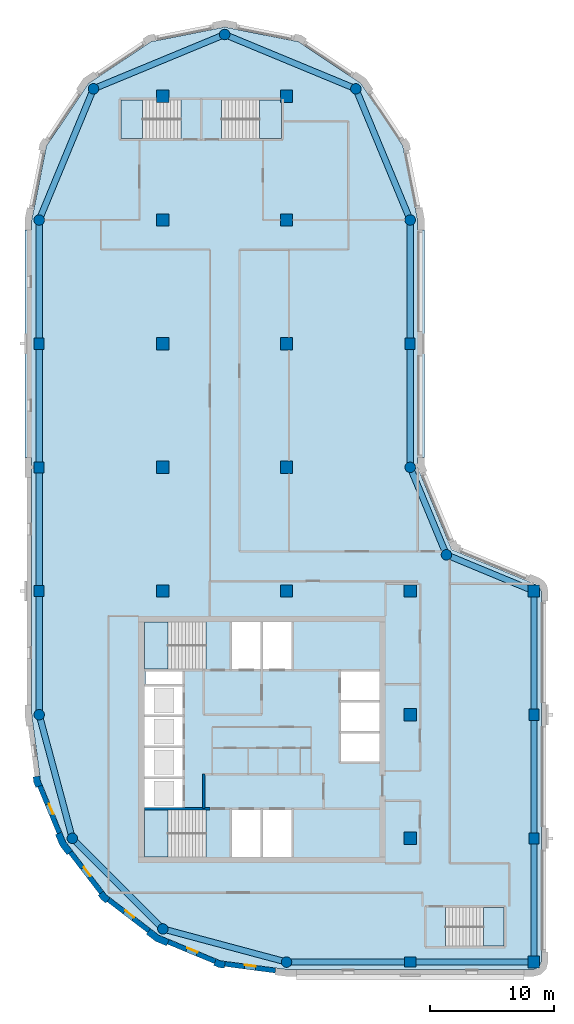
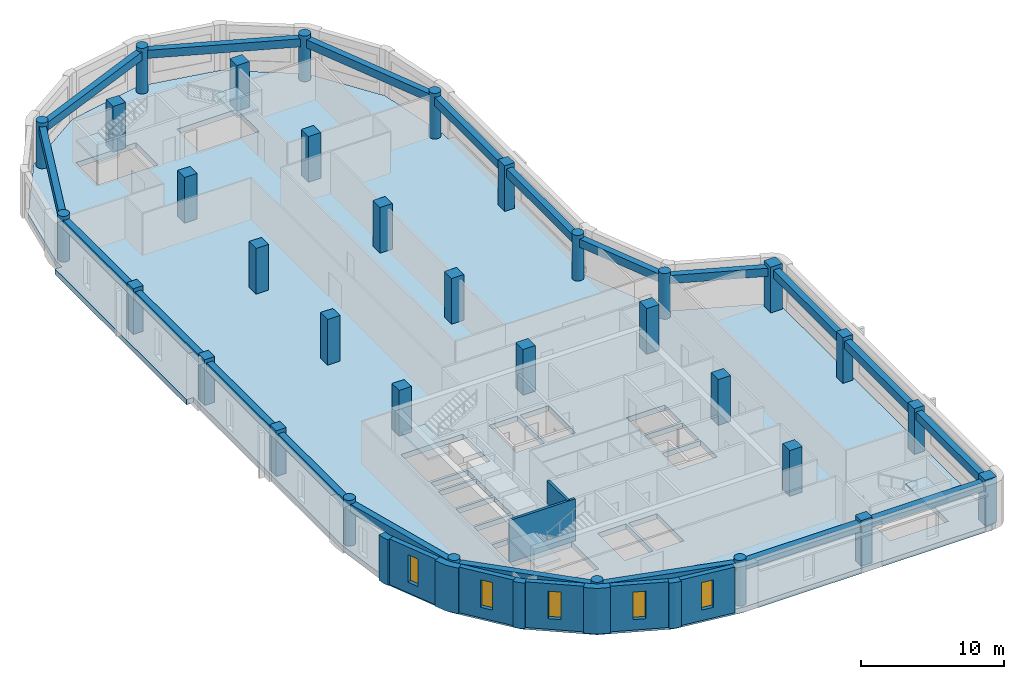
# One storey, part 1 of 8: 33 columns, 20 beams, 12 walls, 6 slabs, 5 windows, 5 openings, 5 elements without a shape of their own.
"""IFC4 building model written with IfcOpenShell, lengths in metres."""

from ifc_helpers import new_model, si_unit, direction, frame, frame_2d, origin, origin_2d, place, context, subcontext, project, spatial, polyline, rectangle, circle, outline, extrude, material, layer, layer_set, material_profile, profile_set, type_object, element, fill, aggregate, save


model = new_model("IFC4")

# Units and contexts
model_context = context("Model", 3, precision=1e-05, world=origin(), true_north=direction((0.0, 1.0)))
body_context = subcontext(model_context, "Body", "Model", "MODEL_VIEW")
ifc_project = project(units=[si_unit("LENGTHUNIT", "METRE"), si_unit("AREAUNIT", "SQUARE_METRE"), si_unit("VOLUMEUNIT", "CUBIC_METRE"), si_unit("PLANEANGLEUNIT", "RADIAN"), si_unit("MASSUNIT", "GRAM", prefix="KILO")], contexts=[model_context])

# Site, building, storey
site_placement = place(None, origin())
site = spatial("IfcSite", under=ifc_project, at=site_placement, CompositionType="ELEMENT")
building_placement = place(site_placement, origin())
building = spatial("IfcBuilding", under=site, at=building_placement, Name="Qaws Garden Tower", CompositionType="ELEMENT")
storey_placement = place(building_placement, frame((0.0, 0.0, 333.300048828125)))
storey = spatial("IfcBuildingStorey", under=building, at=storey_placement, Name="L81", CompositionType="ELEMENT", Elevation=333.300048828125)

# Columns
ifc_material_1 = material(Name="Concrete C60", Category="concrete")
ifc_material_profile_1 = material_profile(ifc_material_1, rectangle(XDim=1.0, YDim=1.0, at=origin_2d()), Name="RC 1000x1000")
ifc_profile_set_1 = profile_set([ifc_material_profile_1], Name="Concrete C60")
column_type_1 = type_object("IfcColumnType", Name="Column RC 1000x1000 C60", PredefinedType="COLUMN", material=ifc_profile_set_1)
for number, where, z_axis, x_axis, name in (
    (1, (10.0, 30.0, 0.0), (0.0, 0.0, 1.0), (1.0, 0.0, 0.0), "Column L81-021"),
    (2, (10.0, 40.0, 0.0), (0.0, 0.0, 1.0), (1.0, 0.0, 0.0), "Column L81-022"),
    (3, (10.0, 50.0, 0.0), (0.0, 0.0, 1.0), (1.0, 0.0, 0.0), "Column L81-023"),
    (4, (10.0, 60.0, 0.0), (0.0, 0.0, 1.0), (1.0, 0.0, 0.0), "Column L81-024"),
    (5, (10.0, 70.0, 0.0), (0.0, 0.0, 1.0), (1.0, 0.0, 0.0), "Column L81-025"),
    (6, (20.0, 30.0, 0.0), (0.0, 0.0, 1.0), (1.0, 0.0, 0.0), "Column L81-026"),
    (7, (20.0, 40.0, 0.0), (0.0, 0.0, 1.0), (1.0, 0.0, 0.0), "Column L81-027"),
    (8, (20.0, 50.0, 0.0), (0.0, 0.0, 1.0), (1.0, 0.0, 0.0), "Column L81-028"),
    (9, (20.0, 60.0, 0.0), (0.0, 0.0, 1.0), (1.0, 0.0, 0.0), "Column L81-029"),
    (10, (20.0, 70.0, 0.0), (0.0, 0.0, 1.0), (1.0, 0.0, 0.0), "Column L81-030"),
    (11, (30.0, 10.0, 0.0), (0.0, 0.0, 1.0), (1.0, 0.0, 0.0), "Column L81-031"),
    (12, (30.0, 20.0, 0.0), (0.0, 0.0, 1.0), (1.0, 0.0, 0.0), "Column L81-032"),
    (13, (30.0, 30.0, 0.0), (0.0, 0.0, 1.0), (1.0, 0.0, 0.0), "Column L81-033"),
):
    element("IfcColumn", number, at=place(storey_placement, frame(where, z_axis=z_axis, x_axis=x_axis)), inside=storey, type_object=column_type_1, Name=name, PredefinedType="COLUMN", context=body_context, shape_type="SweptSolid", body=[
        extrude(rectangle(XDim=1.0, YDim=1.0, at=origin_2d()), origin(), (0.0, 0.0, 1.0), 3.89990234375),
    ])
ifc_material_2 = material(Name="Concrete C60", Category="concrete")
ifc_material_profile_2 = material_profile(ifc_material_2, rectangle(XDim=0.89990234375, YDim=0.800048828125, at=origin_2d()), Name="RC 900x800")
ifc_profile_set_2 = profile_set([ifc_material_profile_2], Name="Concrete C60")
column_type_2 = type_object("IfcColumnType", Name="Column RC 900x800 C60", PredefinedType="COLUMN", material=ifc_profile_set_2)
for number, where, z_axis, x_axis, name in (
    (14, (30.0, 0.0, 0.0), (0.0, 0.0, 1.0), (1.0, 0.0, 0.0), "Column L81-002"),
    (15, (40.0, 10.0, 0.0), (0.0, 0.0, 1.0), (0.0, 1.0, 0.0), "Column L81-004"),
    (16, (40.0, 20.0, 0.0), (0.0, 0.0, 1.0), (0.0, 1.0, 0.0), "Column L81-005"),
    (17, (30.0, 50.0, 0.0), (0.0, 0.0, 1.0), (0.0, 1.0, 0.0), "Column L81-009"),
    (18, (0.0, 50.0, 0.0), (0.0, 0.0, 1.0), (0.0, 1.0, 0.0), "Column L81-015"),
    (19, (0.0, 40.0, 0.0), (0.0, 0.0, 1.0), (0.0, 1.0, 0.0), "Column L81-016"),
    (20, (0.0, 30.0, 0.0), (0.0, 0.0, 1.0), (0.0, 1.0, 0.0), "Column L81-017"),
):
    element("IfcColumn", number, at=place(storey_placement, frame(where, z_axis=z_axis, x_axis=x_axis)), inside=storey, type_object=column_type_2, Name=name, PredefinedType="COLUMN", context=body_context, shape_type="SweptSolid", body=[
        extrude(rectangle(XDim=0.89990234375, YDim=0.800048828125, at=origin_2d()), origin(), (0.0, 0.0, 1.0), 3.89990234375),
    ])
ifc_material_3 = material(Name="Concrete C60", Category="concrete")
ifc_material_profile_3 = material_profile(ifc_material_3, rectangle(XDim=0.949951171875, YDim=0.949951171875, at=origin_2d()), Name="RC 950x950")
ifc_profile_set_3 = profile_set([ifc_material_profile_3], Name="Concrete C60")
column_type_3 = type_object("IfcColumnType", Name="Column RC 950x950 C60", PredefinedType="COLUMN", material=ifc_profile_set_3)
for number, where, z_axis, x_axis, name in (
    (21, (40.0, 0.0, 0.0), (0.0, 0.0, 1.0), (1.0, 0.0, 0.0), "Column L81-003"),
    (22, (40.0, 30.0, 0.0), (0.0, 0.0, 1.0), (1.0, 0.0, 0.0), "Column L81-006"),
):
    element("IfcColumn", number, at=place(storey_placement, frame(where, z_axis=z_axis, x_axis=x_axis)), inside=storey, type_object=column_type_3, Name=name, PredefinedType="COLUMN", context=body_context, shape_type="SweptSolid", body=[
        extrude(rectangle(XDim=0.949951171875, YDim=0.949951171875, at=origin_2d()), origin(), (0.0, 0.0, 1.0), 3.89990234375),
    ])
ifc_material_4 = material(Name="Concrete C60", Category="concrete")
ifc_material_profile_4 = material_profile(ifc_material_4, circle(Radius=0.425048828125, at=origin_2d()), Name="RC D850")
ifc_profile_set_4 = profile_set([ifc_material_profile_4], Name="Concrete C60")
column_type_4 = type_object("IfcColumnType", Name="Column RC D850 C60", PredefinedType="COLUMN", material=ifc_profile_set_4)
for number, where, z_axis, x_axis, name in (
    (23, (20.0, 0.0, 0.0), (0.0, 0.0, 1.0), (1.0, 0.0, 0.0), "Column L81-001"),
    (24, (32.928955078125, 32.928955078125, 0.0), (0.0, 0.0, 1.0), (1.0, 0.0, 0.0), "Column L81-007"),
    (25, (30.0, 40.0, 0.0), (0.0, 0.0, 1.0), (1.0, 0.0, 0.0), "Column L81-008"),
    (26, (30.0, 60.0, 0.0), (0.0, 0.0, 1.0), (1.0, 0.0, 0.0), "Column L81-010"),
    (27, (25.606689453125, 70.606689453125, 0.0), (0.0, 0.0, 1.0), (1.0, 0.0, 0.0), "Column L81-011"),
    (28, (15.0, 75.0, 0.0), (0.0, 0.0, 1.0), (1.0, 0.0, 0.0), "Column L81-012"),
    (29, (4.393310546875, 70.606689453125, 0.0), (0.0, 0.0, 1.0), (1.0, 0.0, 0.0), "Column L81-013"),
    (30, (0.0, 60.0, 0.0), (0.0, 0.0, 1.0), (1.0, 0.0, 0.0), "Column L81-014"),
    (31, (0.0, 20.0, 0.0), (0.0, 0.0, 1.0), (1.0, 0.0, 0.0), "Column L81-018"),
    (32, (2.679443359375, 10.0, 0.0), (0.0, 0.0, 1.0), (1.0, 0.0, 0.0), "Column L81-019"),
    (33, (10.0, 2.679443359375, 0.0), (0.0, 0.0, 1.0), (1.0, 0.0, 0.0), "Column L81-020"),
):
    element("IfcColumn", number, at=place(storey_placement, frame(where, z_axis=z_axis, x_axis=x_axis)), inside=storey, type_object=column_type_4, Name=name, PredefinedType="COLUMN", context=body_context, shape_type="SweptSolid", body=[
        extrude(circle(Radius=0.425048828125, at=origin_2d()), origin(), (0.0, 0.0, 1.0), 3.89990234375),
    ])

# Beams
ifc_material_5 = material(Name="Concrete C45", Category="concrete")
ifc_material_profile_5 = material_profile(ifc_material_5, rectangle(XDim=0.5, YDim=0.699951171875, at=origin_2d()), Name="RC 500x700")
ifc_profile_set_5 = profile_set([ifc_material_profile_5], Name="Concrete C45")
beam_type = type_object("IfcBeamType", Name="Spandrel beam RC 500x700 C45", PredefinedType="SPANDREL", material=ifc_profile_set_5)
for number, where, z_axis, x_axis, name in (
    (34, (20.0, 0.0, 3.22998046875), (1.0, 0.0, 0.0), (0.0, 1.0, 0.0), "Spandrel beam L81-001"),
    (35, (30.0, 0.0, 3.22998046875), (1.0, 0.0, 0.0), (0.0, 1.0, 0.0), "Spandrel beam L81-002"),
    (36, (40.0, 0.0, 3.22998046875), (0.0, 1.0, 0.0), (-1.0, 0.0, 0.0), "Spandrel beam L81-003"),
    (37, (40.0, 10.0, 3.22998046875), (0.0, 1.0, 0.0), (-1.0, 0.0, 0.0), "Spandrel beam L81-004"),
    (38, (40.0, 20.0, 3.22998046875), (0.0, 1.0, 0.0), (-1.0, 0.0, 0.0), "Spandrel beam L81-005"),
):
    element("IfcBeam", number, at=place(storey_placement, frame(where, z_axis=z_axis, x_axis=x_axis)), inside=storey, type_object=beam_type, Name=name, PredefinedType="SPANDREL", context=body_context, shape_type="SweptSolid", body=[
        extrude(rectangle(XDim=0.5, YDim=0.699951171875, at=origin_2d()), origin(), (0.0, 0.0, 1.0), 10.0),
    ])
for number, where, z_axis, x_axis, name in (
    (39, (40.0, 30.0, 3.22998046875), (-0.923878037141, 0.382687042488, 0.0), (-0.382687042488, -0.923878037141, 0.0), "Spandrel beam L81-006"),
    (40, (32.928955078125, 32.928955078125, 3.22998046875), (-0.382687042488, 0.923878037141, 0.0), (-0.923878037141, -0.382687042488, 0.0), "Spandrel beam L81-007"),
):
    element("IfcBeam", number, at=place(storey_placement, frame(where, z_axis=z_axis, x_axis=x_axis)), inside=storey, type_object=beam_type, Name=name, PredefinedType="SPANDREL", context=body_context, shape_type="SweptSolid", body=[
        extrude(rectangle(XDim=0.5, YDim=0.699951171875, at=origin_2d()), origin(), (0.0, 0.0, 1.0), 7.653564453125),
    ])
for number, where, z_axis, x_axis, name in (
    (41, (30.0, 40.0, 3.22998046875), (0.0, 1.0, 0.0), (-1.0, 0.0, 0.0), "Spandrel beam L81-008"),
    (42, (30.0, 50.0, 3.22998046875), (0.0, 1.0, 0.0), (-1.0, 0.0, 0.0), "Spandrel beam L81-009"),
):
    element("IfcBeam", number, at=place(storey_placement, frame(where, z_axis=z_axis, x_axis=x_axis)), inside=storey, type_object=beam_type, Name=name, PredefinedType="SPANDREL", context=body_context, shape_type="SweptSolid", body=[
        extrude(rectangle(XDim=0.5, YDim=0.699951171875, at=origin_2d()), origin(), (0.0, 0.0, 1.0), 10.0),
    ])
for number, where, z_axis, x_axis, name in (
    (43, (30.0, 60.0, 3.22998046875), (-0.382674207535, 0.923883353507, 0.0), (-0.923883353507, -0.382674207535, 0.0), "Spandrel beam L81-010"),
    (44, (25.606689453125, 70.606689453125, 3.22998046875), (-0.923883353507, 0.382674207535, 0.0), (-0.382674207535, -0.923883353507, 0.0), "Spandrel beam L81-011"),
    (45, (15.0, 75.0, 3.22998046875), (-0.923883353507, -0.382674207535, 0.0), (0.382674207535, -0.923883353507, 0.0), "Spandrel beam L81-012"),
    (46, (4.393310546875, 70.606689453125, 3.22998046875), (-0.382674207535, -0.923883353507, 0.0), (0.923883353507, -0.382674207535, 0.0), "Spandrel beam L81-013"),
):
    element("IfcBeam", number, at=place(storey_placement, frame(where, z_axis=z_axis, x_axis=x_axis)), inside=storey, type_object=beam_type, Name=name, PredefinedType="SPANDREL", context=body_context, shape_type="SweptSolid", body=[
        extrude(rectangle(XDim=0.5, YDim=0.699951171875, at=origin_2d()), origin(), (0.0, 0.0, 1.0), 11.48046875),
    ])
for number, where, z_axis, x_axis, name in (
    (47, (0.0, 60.0, 3.22998046875), (0.0, -1.0, 0.0), (1.0, 0.0, 0.0), "Spandrel beam L81-014"),
    (48, (0.0, 50.0, 3.22998046875), (0.0, -1.0, 0.0), (1.0, 0.0, 0.0), "Spandrel beam L81-015"),
    (49, (0.0, 40.0, 3.22998046875), (0.0, -1.0, 0.0), (1.0, 0.0, 0.0), "Spandrel beam L81-016"),
    (50, (0.0, 30.0, 3.22998046875), (0.0, -1.0, 0.0), (1.0, 0.0, 0.0), "Spandrel beam L81-017"),
):
    element("IfcBeam", number, at=place(storey_placement, frame(where, z_axis=z_axis, x_axis=x_axis)), inside=storey, type_object=beam_type, Name=name, PredefinedType="SPANDREL", context=body_context, shape_type="SweptSolid", body=[
        extrude(rectangle(XDim=0.5, YDim=0.699951171875, at=origin_2d()), origin(), (0.0, 0.0, 1.0), 10.0),
    ])
for number, where, z_axis, x_axis, name in (
    (51, (0.0, 20.0, 3.22998046875), (0.25881466832, -0.965926999034, 0.0), (0.965926999034, 0.25881466832, 0.0), "Spandrel beam L81-018"),
    (52, (2.679443359375, 10.0, 3.22998046875), (0.707106781187, -0.707106781187, 0.0), (0.707106781187, 0.707106781187, 0.0), "Spandrel beam L81-019"),
    (53, (10.0, 2.679443359375, 3.22998046875), (0.965926999034, -0.25881466832, 0.0), (0.25881466832, 0.965926999034, 0.0), "Spandrel beam L81-020"),
):
    element("IfcBeam", number, at=place(storey_placement, frame(where, z_axis=z_axis, x_axis=x_axis)), inside=storey, type_object=beam_type, Name=name, PredefinedType="SPANDREL", context=body_context, shape_type="SweptSolid", body=[
        extrude(rectangle(XDim=0.5, YDim=0.699951171875, at=origin_2d()), origin(), (0.0, 0.0, 1.0), 10.352783203125),
    ])

# Slab
ifc_material_6 = material(Name="Concrete C40", Category="concrete")
ifc_layer_1 = layer(ifc_material_6, 0.449951171875)
ifc_layer_set_1 = layer_set([ifc_layer_1], Name="Concrete C40")
slab_type_1 = type_object("IfcSlabType", Name="Floor slab 450 C40", PredefinedType="FLOOR", material=ifc_layer_set_1)
slab_1_placement = place(storey_placement, frame((0.0, 0.0, -0.449951171875)))
element("IfcSlab", 54, at=slab_1_placement, inside=storey, type_object=slab_type_1, Name="Floor slab L81", PredefinedType="FLOOR", context=body_context, shape_type="SweptSolid", body=[
    extrude(outline(polyline([(-0.60009765625, 20.0), (-0.60009765625, 30.60009765625), (-0.60009765625, 40.800048828125), (-1.14990234375, 40.800048828125), (-1.14990234375, 59.199951171875), (-0.60009765625, 59.199951171875), (-0.60009765625, 60.0), (-0.60009765625, 60.0), (0.58740234375, 65.969970703125), (3.968994140625, 71.031005859375), (9.030029296875, 74.41259765625), (15.0, 75.60009765625), (20.969970703125, 74.41259765625), (26.031005859375, 71.031005859375), (29.41259765625, 65.969970703125), (30.60009765625, 60.0), (30.60009765625, 59.199951171875), (31.14990234375, 59.199951171875), (31.14990234375, 40.800048828125), (30.60009765625, 40.800048828125), (30.60009765625, 40.0), (33.353271484375, 33.353271484375), (40.0, 30.60009765625), (40.42431640625, 30.42431640625), (40.60009765625, 30.0), (40.60009765625, 0.0), (40.42431640625, -0.42431640625), (40.0, -0.60009765625), (30.60009765625, -0.60009765625), (20.0, -0.60009765625), (14.668212890625, 0.101806640625), (9.699951171875, 2.159912109375), (5.43359375, 5.43359375), (2.159912109375, 9.699951171875), (0.101806640625, 14.668212890625), (-0.60009765625, 20.0)]), holes=[polyline([(13.49951171875, 12.300048828125), (8.5, 12.300048828125), (8.5, 8.5), (13.49951171875, 8.5), (13.49951171875, 12.300048828125)]), polyline([(17.89990234375, 12.300048828125), (15.60009765625, 12.300048828125), (15.60009765625, 8.5), (17.89990234375, 8.5), (17.89990234375, 12.300048828125)]), polyline([(11.60009765625, 14.800048828125), (8.5, 14.800048828125), (8.5, 12.5), (11.60009765625, 12.5), (11.60009765625, 14.800048828125)]), polyline([(11.60009765625, 17.300048828125), (8.5, 17.300048828125), (8.5, 15.0), (11.60009765625, 15.0), (11.60009765625, 17.300048828125)]), polyline([(11.60009765625, 19.800048828125), (8.5, 19.800048828125), (8.5, 17.5), (11.60009765625, 17.5), (11.60009765625, 19.800048828125)]), polyline([(11.60009765625, 22.300048828125), (8.5, 22.300048828125), (8.5, 20.0), (11.60009765625, 20.0), (11.60009765625, 22.300048828125)]), polyline([(11.60009765625, 23.5), (8.60009765625, 23.5), (8.60009765625, 22.5), (11.60009765625, 22.5), (11.60009765625, 23.5)]), polyline([(13.49951171875, 27.5), (8.5, 27.5), (8.5, 23.699951171875), (13.49951171875, 23.699951171875), (13.49951171875, 27.5)]), polyline([(11.449462890625, 69.699951171875), (6.60009765625, 69.699951171875), (6.60009765625, 66.60009765625), (11.449462890625, 66.60009765625), (11.449462890625, 69.699951171875)]), polyline([(37.60009765625, 4.39990234375), (32.8505859375, 4.39990234375), (32.8505859375, 1.300048828125), (37.60009765625, 1.300048828125), (37.60009765625, 4.39990234375)]), polyline([(20.39990234375, 12.300048828125), (18.10009765625, 12.300048828125), (18.10009765625, 8.5), (20.39990234375, 8.5), (20.39990234375, 12.300048828125)]), polyline([(27.5, 18.5), (24.39990234375, 18.5), (24.39990234375, 16.199951171875), (27.5, 16.199951171875), (27.5, 18.5)]), polyline([(27.5, 21.0), (24.39990234375, 21.0), (24.39990234375, 18.699951171875), (27.5, 18.699951171875), (27.5, 21.0)]), polyline([(27.5, 23.5), (24.39990234375, 23.5), (24.39990234375, 21.199951171875), (27.5, 21.199951171875), (27.5, 23.5)]), polyline([(17.89990234375, 27.5), (15.60009765625, 27.5), (15.60009765625, 23.699951171875), (17.89990234375, 23.699951171875), (17.89990234375, 27.5)]), polyline([(20.39990234375, 23.699951171875), (20.39990234375, 27.5), (18.10009765625, 27.5), (18.10009765625, 23.699951171875), (20.39990234375, 23.699951171875)]), polyline([(19.60009765625, 66.60009765625), (19.60009765625, 69.699951171875), (14.75048828125, 69.699951171875), (14.75048828125, 66.60009765625), (19.60009765625, 66.60009765625)])]), origin(), (0.0, 0.0, 1.0), 0.449951171875),
])

# Stair, slab
ifc_material_7 = material(Name="Concrete C40", Category="concrete")
stair_type_1 = type_object("IfcStairType", Name="Exit stair 1500", PredefinedType="HALF_TURN_STAIR", material=ifc_material_7)
placement_1 = place(storey_placement, origin())
stair_1 = element("IfcStair", 55, at=placement_1, inside=storey, type_object=stair_type_1, Name="Stair 1", PredefinedType="HALF_TURN_STAIR")
ifc_material_8 = material(Name="Concrete C40", Category="concrete")
ifc_layer_2 = layer(ifc_material_8, 0.199951171875)
ifc_layer_set_2 = layer_set([ifc_layer_2], Name="Concrete C40")
slab_type_2 = type_object("IfcSlabType", Name="Stair landing 200", PredefinedType="LANDING", material=ifc_layer_set_2)
placement_2 = place(storey_placement, frame((0.0, 0.0, 1.75)))
slab_2 = element("IfcSlab", 56, at=placement_2, type_object=slab_type_2, Name="ST1 landing 1", PredefinedType="LANDING", context=body_context, shape_type="SweptSolid", body=[
    extrude(outline(polyline([(8.5, 8.5), (10.419921875, 8.5), (10.419921875, 12.300048828125), (8.5, 12.300048828125), (8.5, 8.5)])), origin(), (0.0, 0.0, 1.0), 0.199951171875),
])
aggregate(stair_1, [slab_2])

stair_2 = element("IfcStair", 57, at=placement_1, inside=storey, type_object=stair_type_1, Name="Stair 4", PredefinedType="HALF_TURN_STAIR")
slab_3 = element("IfcSlab", 58, at=placement_2, type_object=slab_type_2, Name="ST4 landing 1", PredefinedType="LANDING", context=body_context, shape_type="SweptSolid", body=[
    extrude(outline(polyline([(8.5, 23.699951171875), (10.419921875, 23.699951171875), (10.419921875, 27.5), (8.5, 27.5), (8.5, 23.699951171875)])), origin(), (0.0, 0.0, 1.0), 0.199951171875),
])
aggregate(stair_2, [slab_3])

ifc_material_9 = material(Name="Concrete C40", Category="concrete")
stair_type_2 = type_object("IfcStairType", Name="Exit stair 1350", PredefinedType="HALF_TURN_STAIR", material=ifc_material_9)
stair_3 = element("IfcStair", 59, at=placement_1, inside=storey, type_object=stair_type_2, Name="Stair 5", PredefinedType="HALF_TURN_STAIR")
slab_4 = element("IfcSlab", 60, at=placement_2, type_object=slab_type_2, Name="ST5 landing 1", PredefinedType="LANDING", context=body_context, shape_type="SweptSolid", body=[
    extrude(outline(polyline([(35.929931640625, 1.300048828125), (37.60009765625, 1.300048828125), (37.60009765625, 4.39990234375), (35.929931640625, 4.39990234375), (35.929931640625, 1.300048828125)])), origin(), (0.0, 0.0, 1.0), 0.199951171875),
])
aggregate(stair_3, [slab_4])

stair_4 = element("IfcStair", 61, at=placement_1, inside=storey, type_object=stair_type_2, Name="Stair 6", PredefinedType="HALF_TURN_STAIR")
slab_5 = element("IfcSlab", 62, at=placement_2, type_object=slab_type_2, Name="ST6 landing 1", PredefinedType="LANDING", context=body_context, shape_type="SweptSolid", body=[
    extrude(outline(polyline([(6.60009765625, 66.60009765625), (8.3701171875, 66.60009765625), (8.3701171875, 69.699951171875), (6.60009765625, 69.699951171875), (6.60009765625, 66.60009765625)])), origin(), (0.0, 0.0, 1.0), 0.199951171875),
])
aggregate(stair_4, [slab_5])

stair_5 = element("IfcStair", 63, at=placement_1, inside=storey, type_object=stair_type_2, Name="Stair 7", PredefinedType="HALF_TURN_STAIR")
slab_6 = element("IfcSlab", 64, at=placement_2, type_object=slab_type_2, Name="ST7 landing 1", PredefinedType="LANDING", context=body_context, shape_type="SweptSolid", body=[
    extrude(outline(polyline([(17.830078125, 66.60009765625), (19.60009765625, 66.60009765625), (19.60009765625, 69.699951171875), (17.830078125, 69.699951171875), (17.830078125, 66.60009765625)])), origin(), (0.0, 0.0, 1.0), 0.199951171875),
])
aggregate(stair_5, [slab_6])

# Wall, opening, window
ifc_material_10 = material(Name="Clay facing brick masonry", Category="masonry")
ifc_layer_3 = layer(ifc_material_10, 0.39990234375)
ifc_layer_set_3 = layer_set([ifc_layer_3], Name="Clay facing brick masonry")
wall_type_1 = type_object("IfcWallType", Name="Brick infill wall 400", PredefinedType="SOLIDWALL", material=ifc_layer_set_3)
wall_1_placement = place(storey_placement, frame((0.05712890625, 14.240234375, 0.0), z_axis=(0.0, 0.0, 1.0), x_axis=(0.382721546029, -0.923863744394, 0.0)))
wall_1 = element("IfcWall", 65, at=wall_1_placement, inside=storey, type_object=wall_type_1, Name="E-L81-infill-22", PredefinedType="SOLIDWALL", context=body_context, shape_type="SweptSolid", body=[
    extrude(rectangle(XDim=4.120849609375, YDim=0.39990234375, at=frame_2d((2.060546875, 0.0))), origin(), (0.0, 0.0, 1.0), 3.89990234375),
])
opening_1_placement = place(wall_1_placement, frame((1.610595703125, 0.0, 0.89990234375)))
opening_1 = element("IfcOpeningElement", 66, at=opening_1_placement, cuts=wall_1, Name="Opening W09", PredefinedType="OPENING", context=body_context, shape_type="SweptSolid", body=[
    extrude(rectangle(XDim=0.89990234375, YDim=2.35009765625, at=frame_2d((0.449951171875, 1.175048828125))), frame((0.0, 0.2099609375, 0.0), z_axis=(0.0, -1.0, 0.0), x_axis=(1.0, 0.0, 0.0)), (0.0, 0.0, 1.0), 0.419921875),
])
ifc_material_11 = material(Name="Aluminium framed window, clear glazing", Category="aluminium")
window_type = type_object("IfcWindowType", Name="Slit window 900 x 2350", PartitioningType="SINGLE_PANEL", PredefinedType="WINDOW", material=ifc_material_11)
window_1_placement = place(opening_1_placement, origin())
window_1 = element("IfcWindow", 67, at=window_1_placement, inside=storey, type_object=window_type, Name="E-L81-window-22-0", OverallHeight=2.35009765625, OverallWidth=0.89990234375, PartitioningType="SINGLE_PANEL", PredefinedType="WINDOW", context=body_context, shape_type="SweptSolid", body=[
    extrude(rectangle(XDim=0.89990234375, YDim=2.35009765625, at=frame_2d((0.449951171875, 1.175048828125))), frame((0.0, 0.159912109375, 0.0), z_axis=(0.0, -1.0, 0.0), x_axis=(1.0, 0.0, 0.0)), (0.0, 0.0, 1.0), 0.06005859375),
])
fill(opening_1, window_1)

wall_2_placement = place(storey_placement, frame((2.53173828125, 8.87841796875, 0.0), z_axis=(0.0, 0.0, 1.0), x_axis=(0.608759824817, -0.793354571229, 0.0)))
wall_2 = element("IfcWall", 68, at=wall_2_placement, inside=storey, type_object=wall_type_1, Name="E-L81-infill-23", PredefinedType="SOLIDWALL", context=body_context, shape_type="SweptSolid", body=[
    extrude(rectangle(XDim=4.12109375, YDim=0.39990234375, at=frame_2d((2.060546875, 0.0))), origin(), (0.0, 0.0, 1.0), 3.89990234375),
])
opening_2_placement = place(wall_2_placement, frame((1.610595703125, 0.0, 0.89990234375)))
opening_2 = element("IfcOpeningElement", 69, at=opening_2_placement, cuts=wall_2, Name="Opening W09", PredefinedType="OPENING", context=body_context, shape_type="SweptSolid", body=[
    extrude(rectangle(XDim=0.89990234375, YDim=2.35009765625, at=frame_2d((0.449951171875, 1.175048828125))), frame((0.0, 0.2099609375, 0.0), z_axis=(0.0, -1.0, 0.0), x_axis=(1.0, 0.0, 0.0)), (0.0, 0.0, 1.0), 0.419921875),
])
window_2_placement = place(opening_2_placement, origin())
window_2 = element("IfcWindow", 70, at=window_2_placement, inside=storey, type_object=window_type, Name="E-L81-window-23-0", OverallHeight=2.35009765625, OverallWidth=0.89990234375, PartitioningType="SINGLE_PANEL", PredefinedType="WINDOW", context=body_context, shape_type="SweptSolid", body=[
    extrude(rectangle(XDim=0.89990234375, YDim=2.35009765625, at=frame_2d((0.449951171875, 1.175048828125))), frame((0.0, 0.159912109375, 0.0), z_axis=(0.0, -1.0, 0.0), x_axis=(1.0, 0.0, 0.0)), (0.0, 0.0, 1.0), 0.06005859375),
])
fill(opening_2, window_2)

wall_3_placement = place(storey_placement, frame((5.60888671875, 5.04052734375, 0.0), z_axis=(0.0, 0.0, 1.0), x_axis=(0.793354571229, -0.608759824817, 0.0)))
wall_3 = element("IfcWall", 71, at=wall_3_placement, inside=storey, type_object=wall_type_1, Name="E-L81-infill-24", PredefinedType="SOLIDWALL", context=body_context, shape_type="SweptSolid", body=[
    extrude(rectangle(XDim=4.12109375, YDim=0.39990234375, at=frame_2d((2.060546875, 0.0))), origin(), (0.0, 0.0, 1.0), 3.89990234375),
])
opening_3_placement = place(wall_3_placement, frame((1.610595703125, 0.0, 0.89990234375)))
opening_3 = element("IfcOpeningElement", 72, at=opening_3_placement, cuts=wall_3, Name="Opening W09", PredefinedType="OPENING", context=body_context, shape_type="SweptSolid", body=[
    extrude(rectangle(XDim=0.89990234375, YDim=2.35009765625, at=frame_2d((0.449951171875, 1.175048828125))), frame((0.0, 0.2099609375, 0.0), z_axis=(0.0, -1.0, 0.0), x_axis=(1.0, 0.0, 0.0)), (0.0, 0.0, 1.0), 0.419921875),
])
window_3_placement = place(opening_3_placement, origin())
window_3 = element("IfcWindow", 73, at=window_3_placement, inside=storey, type_object=window_type, Name="E-L81-window-24-0", OverallHeight=2.35009765625, OverallWidth=0.89990234375, PartitioningType="SINGLE_PANEL", PredefinedType="WINDOW", context=body_context, shape_type="SweptSolid", body=[
    extrude(rectangle(XDim=0.89990234375, YDim=2.35009765625, at=frame_2d((0.449951171875, 1.175048828125))), frame((0.0, 0.159912109375, 0.0), z_axis=(0.0, -1.0, 0.0), x_axis=(1.0, 0.0, 0.0)), (0.0, 0.0, 1.0), 0.06005859375),
])
fill(opening_3, window_3)

wall_4_placement = place(storey_placement, frame((10.43310546875, 1.63427734375, 0.0), z_axis=(0.0, 0.0, 1.0), x_axis=(0.923863744394, -0.382721546029, 0.0)))
wall_4 = element("IfcWall", 74, at=wall_4_placement, inside=storey, type_object=wall_type_1, Name="E-L81-infill-25", PredefinedType="SOLIDWALL", context=body_context, shape_type="SweptSolid", body=[
    extrude(rectangle(XDim=4.120849609375, YDim=0.39990234375, at=frame_2d((2.060546875, 0.0))), origin(), (0.0, 0.0, 1.0), 3.89990234375),
])
opening_4_placement = place(wall_4_placement, frame((1.610595703125, 0.0, 0.89990234375)))
opening_4 = element("IfcOpeningElement", 75, at=opening_4_placement, cuts=wall_4, Name="Opening W09", PredefinedType="OPENING", context=body_context, shape_type="SweptSolid", body=[
    extrude(rectangle(XDim=0.89990234375, YDim=2.35009765625, at=frame_2d((0.449951171875, 1.175048828125))), frame((0.0, 0.2099609375, 0.0), z_axis=(0.0, -1.0, 0.0), x_axis=(1.0, 0.0, 0.0)), (0.0, 0.0, 1.0), 0.419921875),
])
window_4_placement = place(opening_4_placement, origin())
window_4 = element("IfcWindow", 76, at=window_4_placement, inside=storey, type_object=window_type, Name="E-L81-window-25-0", OverallHeight=2.35009765625, OverallWidth=0.89990234375, PartitioningType="SINGLE_PANEL", PredefinedType="WINDOW", context=body_context, shape_type="SweptSolid", body=[
    extrude(rectangle(XDim=0.89990234375, YDim=2.35009765625, at=frame_2d((0.449951171875, 1.175048828125))), frame((0.0, 0.159912109375, 0.0), z_axis=(0.0, -1.0, 0.0), x_axis=(1.0, 0.0, 0.0)), (0.0, 0.0, 1.0), 0.06005859375),
])
fill(opening_4, window_4)

wall_5_placement = place(storey_placement, frame((15.0166015625, -0.15087890625, 0.0), z_axis=(0.0, 0.0, 1.0), x_axis=(0.991446429508, -0.130514280502, 0.0)))
wall_5 = element("IfcWall", 77, at=wall_5_placement, inside=storey, type_object=wall_type_1, Name="E-L81-infill-26", PredefinedType="SOLIDWALL", context=body_context, shape_type="SweptSolid", body=[
    extrude(rectangle(XDim=4.120849609375, YDim=0.39990234375, at=frame_2d((2.060546875, 0.0))), origin(), (0.0, 0.0, 1.0), 3.89990234375),
])
opening_5_placement = place(wall_5_placement, frame((1.610595703125, 0.0, 0.89990234375)))
opening_5 = element("IfcOpeningElement", 78, at=opening_5_placement, cuts=wall_5, Name="Opening W09", PredefinedType="OPENING", context=body_context, shape_type="SweptSolid", body=[
    extrude(rectangle(XDim=0.89990234375, YDim=2.35009765625, at=frame_2d((0.449951171875, 1.175048828125))), frame((0.0, 0.2099609375, 0.0), z_axis=(0.0, -1.0, 0.0), x_axis=(1.0, 0.0, 0.0)), (0.0, 0.0, 1.0), 0.419921875),
])
window_5_placement = place(opening_5_placement, origin())
window_5 = element("IfcWindow", 79, at=window_5_placement, inside=storey, type_object=window_type, Name="E-L81-window-26-0", OverallHeight=2.35009765625, OverallWidth=0.89990234375, PartitioningType="SINGLE_PANEL", PredefinedType="WINDOW", context=body_context, shape_type="SweptSolid", body=[
    extrude(rectangle(XDim=0.89990234375, YDim=2.35009765625, at=frame_2d((0.449951171875, 1.175048828125))), frame((0.0, 0.159912109375, 0.0), z_axis=(0.0, -1.0, 0.0), x_axis=(1.0, 0.0, 0.0)), (0.0, 0.0, 1.0), 0.06005859375),
])
fill(opening_5, window_5)

# Walls
ifc_material_12 = material(Name="Clay facing brick masonry", Category="masonry")
ifc_layer_4 = layer(ifc_material_12, 0.550048828125)
ifc_layer_set_4 = layer_set([ifc_layer_4], Name="Clay facing brick masonry")
wall_type_2 = type_object("IfcWallType", Name="Brick kink pier 550 x 600", PredefinedType="SOLIDWALL", material=ifc_layer_set_4)
element("IfcWall", 80, at=placement_1, inside=storey, type_object=wall_type_2, Name="E-L81-pier-22", PredefinedType="SOLIDWALL", context=body_context, shape_type="SweptSolid", body=[
    extrude(outline(polyline([(-0.34912109375, 14.990478515625), (-0.497802734375, 14.970947265625), (-0.43896484375, 14.5234375), (-0.26611328125, 14.1064453125), (-0.127685546875, 14.163818359375), (0.241943359375, 14.31689453125), (0.096923828125, 14.6669921875), (0.04736328125, 15.042724609375), (-0.34912109375, 14.990478515625)])), origin(), (0.0, 0.0, 1.0), 3.89990234375),
])
element("IfcWall", 81, at=placement_1, inside=storey, type_object=wall_type_2, Name="E-L81-pier-24", PredefinedType="SOLIDWALL", context=body_context, shape_type="SweptSolid", body=[
    extrude(outline(polyline([(4.8818359375, 5.487060546875), (4.762939453125, 5.395751953125), (5.03759765625, 5.03759765625), (5.395751953125, 4.762939453125), (5.487060546875, 4.8818359375), (5.730712890625, 5.19921875), (5.429931640625, 5.429931640625), (5.19921875, 5.730712890625), (4.8818359375, 5.487060546875)])), origin(), (0.0, 0.0, 1.0), 3.89990234375),
])
element("IfcWall", 82, at=placement_1, inside=storey, type_object=wall_type_2, Name="E-L81-pier-26", PredefinedType="SOLIDWALL", context=body_context, shape_type="SweptSolid", body=[
    extrude(outline(polyline([(14.163818359375, -0.127685546875), (14.1064453125, -0.26611328125), (14.5234375, -0.43896484375), (14.970947265625, -0.497802734375), (14.990478515625, -0.34912109375), (15.042724609375, 0.04736328125), (14.6669921875, 0.096923828125), (14.31689453125, 0.241943359375), (14.163818359375, -0.127685546875)])), origin(), (0.0, 0.0, 1.0), 3.89990234375),
])
ifc_material_13 = material(Name="Clay facing brick masonry", Category="masonry")
ifc_layer_5 = layer(ifc_material_13, 0.550048828125)
ifc_layer_set_5 = layer_set([ifc_layer_5], Name="Clay facing brick masonry")
wall_type_3 = type_object("IfcWallType", Name="Brick pier 550 x 1600", PredefinedType="SOLIDWALL", material=ifc_layer_set_5)
element("IfcWall", 83, at=placement_1, inside=storey, type_object=wall_type_3, Name="E-L81-pier-23", PredefinedType="SOLIDWALL", context=body_context, shape_type="SweptSolid", body=[
    extrude(outline(polyline([(1.449462890625, 10.3564453125), (1.310791015625, 10.299072265625), (1.675048828125, 9.419921875), (2.254150390625, 8.665283203125), (2.373046875, 8.756591796875), (2.6904296875, 9.0), (2.1552734375, 9.697509765625), (1.819091796875, 10.509521484375), (1.449462890625, 10.3564453125)])), origin(), (0.0, 0.0, 1.0), 3.89990234375),
])
element("IfcWall", 84, at=placement_1, inside=storey, type_object=wall_type_3, Name="E-L81-pier-25", PredefinedType="SOLIDWALL", context=body_context, shape_type="SweptSolid", body=[
    extrude(outline(polyline([(8.756591796875, 2.373046875), (8.665283203125, 2.254150390625), (9.419921875, 1.675048828125), (10.299072265625, 1.310791015625), (10.3564453125, 1.449462890625), (10.509521484375, 1.819091796875), (9.697509765625, 2.1552734375), (9.0, 2.6904296875), (8.756591796875, 2.373046875)])), origin(), (0.0, 0.0, 1.0), 3.89990234375),
])
ifc_material_14 = material(Name="Concrete C60", Category="concrete")
ifc_layer_6 = layer(ifc_material_14, 0.199951171875)
ifc_layer_set_6 = layer_set([ifc_layer_6], Name="Concrete C60")
wall_type_4 = type_object("IfcWallType", Name="Core shaft wall 200 C60", PredefinedType="SHEAR", material=ifc_layer_set_6)
wall_11_placement = place(storey_placement, frame((8.5, 12.39990234375, 0.0), z_axis=(0.0, 0.0, 1.0), x_axis=(1.0, 0.0, 0.0)))
element("IfcWall", 85, at=wall_11_placement, inside=storey, type_object=wall_type_4, Name="Shaft wall", PredefinedType="SHEAR", context=body_context, shape_type="SweptSolid", body=[
    extrude(rectangle(XDim=5.300048828125, YDim=0.199951171875, at=frame_2d((2.64990234375, 0.0))), origin(), (0.0, 0.0, 1.0), 3.579833984375),
])
wall_12_placement = place(storey_placement, frame((13.300048828125, 12.39990234375, 0.0), z_axis=(0.0, 0.0, 1.0), x_axis=(0.0, 1.0, 0.0)))
element("IfcWall", 86, at=wall_12_placement, inside=storey, type_object=wall_type_4, Name="Shaft wall", PredefinedType="SHEAR", context=body_context, shape_type="SweptSolid", body=[
    extrude(rectangle(XDim=2.800048828125, YDim=0.199951171875, at=frame_2d((1.39990234375, 0.0))), origin(), (0.0, 0.0, 1.0), 3.579833984375),
])

save(model, "model.ifc")
